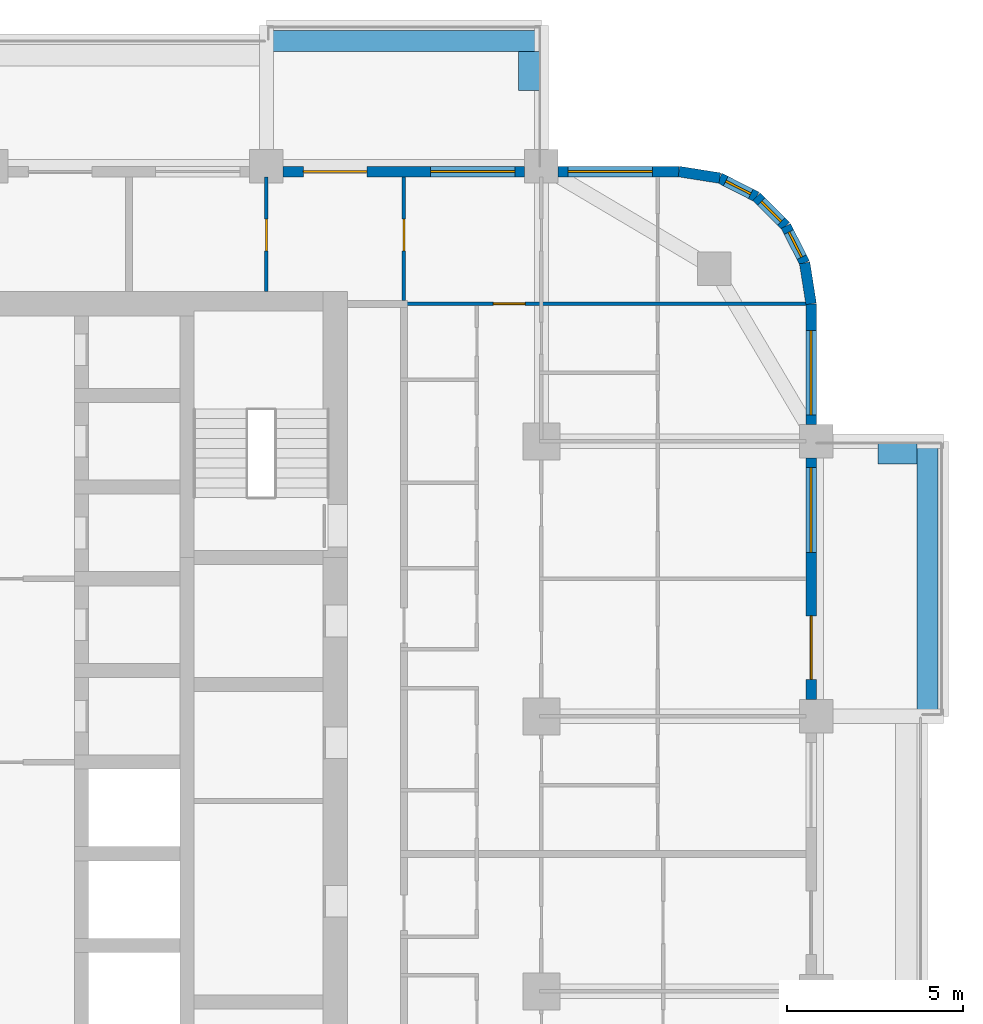
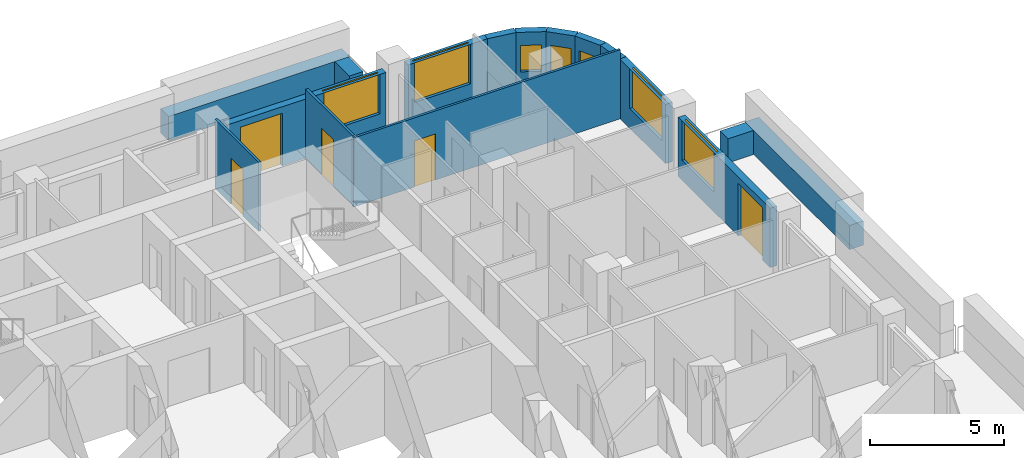
# One storey, part 13 of 17: 16 walls, 7 windows, 5 doors, 12 openings.
"""IFC4 building model written with IfcOpenShell, lengths in metres."""

from ifc_helpers import new_model, si_unit, direction, frame, frame_2d, origin, place, context, subcontext, project, spatial, rectangle, extrude, material, layer, layer_set, type_object, element, fill, save


model = new_model("IFC4")

# Units and contexts
model_context = context("Model", 3, precision=1e-05, world=origin(), true_north=direction((0.0, 1.0)))
body_context = subcontext(model_context, "Body", "Model", "MODEL_VIEW")
ifc_project = project(units=[si_unit("LENGTHUNIT", "METRE"), si_unit("AREAUNIT", "SQUARE_METRE"), si_unit("VOLUMEUNIT", "CUBIC_METRE"), si_unit("PLANEANGLEUNIT", "RADIAN"), si_unit("MASSUNIT", "GRAM", prefix="KILO")], contexts=[model_context])

# Site, building, storey
site_placement = place(None, origin())
site = spatial("IfcSite", under=ifc_project, at=site_placement, CompositionType="ELEMENT")
building_placement = place(site_placement, origin())
building = spatial("IfcBuilding", under=site, at=building_placement, Name="Ludao Terraces", CompositionType="ELEMENT")
storey_placement = place(building_placement, frame((0.0, 0.0, 85.199951171875)))
storey = spatial("IfcBuildingStorey", under=building, at=storey_placement, Name="L23", CompositionType="ELEMENT", Elevation=85.199951171875)

# Walls
ifc_material_1 = material(Name="Concrete C40", Category="concrete")
ifc_layer_1 = layer(ifc_material_1, 0.60009765625)
ifc_layer_set_1 = layer_set([ifc_layer_1], Name="ENV Planter trough 600")
wall_type_1 = type_object("IfcWallType", Name="ENV Planter trough 600", PredefinedType="USERDEFINED", material=ifc_layer_set_1)
wall_1_placement = place(storey_placement, frame((111.550048828125, 72.800048828125, 0.0), z_axis=(0.0, 0.0, 1.0), x_axis=(0.0, 1.0, 0.0)))
element("IfcWall", 1, at=wall_1_placement, inside=storey, type_object=wall_type_1, Name="PL-L23-E4", ObjectType="PLANTER", PredefinedType="USERDEFINED", context=body_context, shape_type="SweptSolid", body=[
    extrude(rectangle(XDim=7.800048828125, YDim=0.60009765625, at=frame_2d((3.89990234375, 0.0))), origin(), (0.0, 0.0, 1.0), 1.10009765625),
])
wall_2_placement = place(storey_placement, frame((111.25, 80.25, 0.0), z_axis=(0.0, 0.0, 1.0), x_axis=(-1.0, 0.0, 0.0)))
element("IfcWall", 2, at=wall_2_placement, inside=storey, type_object=wall_type_1, Name="PL-L23-E4-SB", ObjectType="PLANTER", PredefinedType="USERDEFINED", context=body_context, shape_type="SweptSolid", body=[
    extrude(rectangle(XDim=1.10009765625, YDim=0.60009765625, at=frame_2d((0.550048828125, 0.0))), origin(), (0.0, 0.0, 1.0), 1.10009765625),
])
wall_3_placement = place(storey_placement, frame((92.800048828125, 91.949951171875, 0.0), z_axis=(0.0, 0.0, 1.0), x_axis=(1.0, 0.0, 0.0)))
element("IfcWall", 3, at=wall_3_placement, inside=storey, type_object=wall_type_1, Name="PL-L23-N4", ObjectType="PLANTER", PredefinedType="USERDEFINED", context=body_context, shape_type="SweptSolid", body=[
    extrude(rectangle(XDim=7.800048828125, YDim=0.60009765625, at=frame_2d((3.89990234375, 0.0))), origin(), (0.0, 0.0, 1.0), 1.10009765625),
])
wall_4_placement = place(storey_placement, frame((100.25, 91.64990234375, 0.0), z_axis=(0.0, 0.0, 1.0), x_axis=(0.0, -1.0, 0.0)))
element("IfcWall", 4, at=wall_4_placement, inside=storey, type_object=wall_type_1, Name="PL-L23-N4-SB", ObjectType="PLANTER", PredefinedType="USERDEFINED", context=body_context, shape_type="SweptSolid", body=[
    extrude(rectangle(XDim=1.099853515625, YDim=0.60009765625, at=frame_2d((0.5498046875, 0.0))), origin(), (0.0, 0.0, 1.0), 1.10009765625),
])

# Wall, openings, door, window
ifc_material_2 = material(Name="Granite cladding", Category="masonry")
ifc_layer_2 = layer(ifc_material_2, 0.0400390625, Category="stone")
ifc_material_3 = material(Name="Mineral wool")
ifc_layer_3 = layer(ifc_material_3, 0.06005859375)
ifc_layer_4 = layer(ifc_material_1, 0.199951171875, Category="concrete")
ifc_layer_set_2 = layer_set([ifc_layer_2, ifc_layer_3, ifc_layer_4], Name="ENV Stone-clad wall 300")
wall_type_2 = type_object("IfcWallType", Name="ENV Stone-clad wall 300", PredefinedType="SOLIDWALL", material=ifc_layer_set_2)
wall_5_placement = place(storey_placement, frame((108.25, 73.27490234375, 0.0), z_axis=(0.0, 0.0, 1.0), x_axis=(0.0, 1.0, 0.0)))
wall_5 = element("IfcWall", 5, at=wall_5_placement, inside=storey, type_object=wall_type_2, Name="EW-L23-E5", PredefinedType="SOLIDWALL", context=body_context, shape_type="SweptSolid", body=[
    extrude(rectangle(XDim=6.85009765625, YDim=0.300048828125, at=frame_2d((3.425048828125, 0.0))), origin(), (0.0, 0.0, 1.0), 2.699951171875),
])
opening_1_placement = place(wall_5_placement, frame((0.574951171875, 0.0, 0.0)))
opening_1 = element("IfcOpeningElement", 6, at=opening_1_placement, cuts=wall_5, Name="Opening BD", PredefinedType="OPENING", context=body_context, shape_type="SweptSolid", body=[
    extrude(rectangle(XDim=1.800048828125, YDim=2.39990234375, at=frame_2d((0.89990234375, 1.199951171875))), frame((0.0, 0.16015625, 0.0), z_axis=(0.0, -1.0, 0.0), x_axis=(1.0, 0.0, 0.0)), (0.0, 0.0, 1.0), 0.320068359375),
])
opening_2_placement = place(wall_5_placement, frame((4.175048828125, 0.0, 0.89990234375)))
opening_2 = element("IfcOpeningElement", 7, at=opening_2_placement, cuts=wall_5, Name="Opening W1", PredefinedType="OPENING", context=body_context, shape_type="SweptSolid", body=[
    extrude(rectangle(XDim=2.39990234375, YDim=1.800048828125, at=frame_2d((1.199951171875, 0.89990234375))), frame((0.0, 0.16015625, 0.0), z_axis=(0.0, -1.0, 0.0), x_axis=(1.0, 0.0, 0.0)), (0.0, 0.0, 1.0), 0.320068359375),
])
ifc_material_4 = material(Name="Aluminium glazed door", Category="aluminium")
ifc_layer_5 = layer(ifc_material_4, 0.06005859375)
ifc_layer_set_3 = layer_set([ifc_layer_5], Name="ENV Balcony door BD 1800x2400")
door_type_1 = type_object("IfcDoorType", Name="ENV Balcony door BD 1800x2400", OperationType="DOUBLE_DOOR_SINGLE_SWING", PredefinedType="DOOR", material=ifc_layer_set_3)
door_1_placement = place(opening_1_placement, origin())
door_1 = element("IfcDoor", 8, at=door_1_placement, inside=storey, type_object=door_type_1, Name="BD-L23-E5-1", OperationType="DOUBLE_DOOR_SINGLE_SWING", OverallHeight=2.39990234375, OverallWidth=1.800048828125, PredefinedType="DOOR", context=body_context, shape_type="SweptSolid", body=[
    extrude(rectangle(XDim=1.800048828125, YDim=2.39990234375, at=frame_2d((0.89990234375, 1.199951171875))), frame((0.0, 0.02490234375, 0.0), z_axis=(0.0, -1.0, 0.0), x_axis=(1.0, 0.0, 0.0)), (0.0, 0.0, 1.0), 0.050048828125),
])
fill(opening_1, door_1)
ifc_material_5 = material(Name="Clear glass in aluminium frame", Category="aluminium")
ifc_layer_6 = layer(ifc_material_5, 0.06005859375)
ifc_layer_set_4 = layer_set([ifc_layer_6], Name="ENV Window W1 2400x1800")
window_type_1 = type_object("IfcWindowType", Name="ENV Window W1 2400x1800", PartitioningType="DOUBLE_PANEL_VERTICAL", PredefinedType="WINDOW", material=ifc_layer_set_4)
window_1_placement = place(opening_2_placement, origin())
window_1 = element("IfcWindow", 9, at=window_1_placement, inside=storey, type_object=window_type_1, Name="W-L23-E5-2", OverallHeight=1.800048828125, OverallWidth=2.39990234375, PartitioningType="DOUBLE_PANEL_VERTICAL", PredefinedType="WINDOW", context=body_context, shape_type="SweptSolid", body=[
    extrude(rectangle(XDim=2.39990234375, YDim=1.800048828125, at=frame_2d((1.199951171875, 0.89990234375))), frame((0.0, 0.030029296875, 0.0), z_axis=(0.0, -1.0, 0.0), x_axis=(1.0, 0.0, 0.0)), (0.0, 0.0, 1.0), 0.06005859375),
])
fill(opening_2, window_1)

# Wall, opening, window
wall_6_placement = place(storey_placement, frame((108.25, 81.074951171875, 0.0), z_axis=(0.0, 0.0, 1.0), x_axis=(0.0, 1.0, 0.0)))
wall_6 = element("IfcWall", 10, at=wall_6_placement, inside=storey, type_object=wall_type_2, Name="EW-L23-E6", PredefinedType="SOLIDWALL", context=body_context, shape_type="SweptSolid", body=[
    extrude(rectangle(XDim=3.425048828125, YDim=0.300048828125, at=frame_2d((1.71240234375, 0.0))), origin(), (0.0, 0.0, 1.0), 2.699951171875),
])
opening_3_placement = place(wall_6_placement, frame((0.27490234375, 0.0, 0.89990234375)))
opening_3 = element("IfcOpeningElement", 11, at=opening_3_placement, cuts=wall_6, Name="Opening W1", PredefinedType="OPENING", context=body_context, shape_type="SweptSolid", body=[
    extrude(rectangle(XDim=2.39990234375, YDim=1.800048828125, at=frame_2d((1.199951171875, 0.89990234375))), frame((0.0, 0.16015625, 0.0), z_axis=(0.0, -1.0, 0.0), x_axis=(1.0, 0.0, 0.0)), (0.0, 0.0, 1.0), 0.320068359375),
])
window_2_placement = place(opening_3_placement, origin())
window_2 = element("IfcWindow", 12, at=window_2_placement, inside=storey, type_object=window_type_1, Name="W-L23-E6-1", OverallHeight=1.800048828125, OverallWidth=2.39990234375, PartitioningType="DOUBLE_PANEL_VERTICAL", PredefinedType="WINDOW", context=body_context, shape_type="SweptSolid", body=[
    extrude(rectangle(XDim=2.39990234375, YDim=1.800048828125, at=frame_2d((1.199951171875, 0.89990234375))), frame((0.0, 0.030029296875, 0.0), z_axis=(0.0, -1.0, 0.0), x_axis=(1.0, 0.0, 0.0)), (0.0, 0.0, 1.0), 0.06005859375),
])
fill(opening_3, window_2)

# Wall, openings, door, window
wall_7_placement = place(storey_placement, frame((93.27490234375, 88.25, 0.0), z_axis=(0.0, 0.0, 1.0), x_axis=(1.0, 0.0, 0.0)))
wall_7 = element("IfcWall", 13, at=wall_7_placement, inside=storey, type_object=wall_type_2, Name="EW-L23-N5", PredefinedType="SOLIDWALL", context=body_context, shape_type="SweptSolid", body=[
    extrude(rectangle(XDim=6.85009765625, YDim=0.300048828125, at=frame_2d((3.425048828125, 0.0))), origin(), (0.0, 0.0, 1.0), 2.699951171875),
])
opening_4_placement = place(wall_7_placement, frame((0.574951171875, 0.0, 0.0)))
opening_4 = element("IfcOpeningElement", 14, at=opening_4_placement, cuts=wall_7, Name="Opening BD", PredefinedType="OPENING", context=body_context, shape_type="SweptSolid", body=[
    extrude(rectangle(XDim=1.800048828125, YDim=2.39990234375, at=frame_2d((0.89990234375, 1.199951171875))), frame((0.0, 0.16015625, 0.0), z_axis=(0.0, -1.0, 0.0), x_axis=(1.0, 0.0, 0.0)), (0.0, 0.0, 1.0), 0.320068359375),
])
opening_5_placement = place(wall_7_placement, frame((4.175048828125, 0.0, 0.89990234375)))
opening_5 = element("IfcOpeningElement", 15, at=opening_5_placement, cuts=wall_7, Name="Opening W1", PredefinedType="OPENING", context=body_context, shape_type="SweptSolid", body=[
    extrude(rectangle(XDim=2.39990234375, YDim=1.800048828125, at=frame_2d((1.199951171875, 0.89990234375))), frame((0.0, 0.16015625, 0.0), z_axis=(0.0, -1.0, 0.0), x_axis=(1.0, 0.0, 0.0)), (0.0, 0.0, 1.0), 0.320068359375),
])
door_2_placement = place(opening_4_placement, origin())
door_2 = element("IfcDoor", 16, at=door_2_placement, inside=storey, type_object=door_type_1, Name="BD-L23-N5-1", OperationType="DOUBLE_DOOR_SINGLE_SWING", OverallHeight=2.39990234375, OverallWidth=1.800048828125, PredefinedType="DOOR", context=body_context, shape_type="SweptSolid", body=[
    extrude(rectangle(XDim=1.800048828125, YDim=2.39990234375, at=frame_2d((0.89990234375, 1.199951171875))), frame((0.0, 0.02490234375, 0.0), z_axis=(0.0, -1.0, 0.0), x_axis=(1.0, 0.0, 0.0)), (0.0, 0.0, 1.0), 0.050048828125),
])
fill(opening_4, door_2)
window_3_placement = place(opening_5_placement, origin())
window_3 = element("IfcWindow", 17, at=window_3_placement, inside=storey, type_object=window_type_1, Name="W-L23-N5-2", OverallHeight=1.800048828125, OverallWidth=2.39990234375, PartitioningType="DOUBLE_PANEL_VERTICAL", PredefinedType="WINDOW", context=body_context, shape_type="SweptSolid", body=[
    extrude(rectangle(XDim=2.39990234375, YDim=1.800048828125, at=frame_2d((1.199951171875, 0.89990234375))), frame((0.0, 0.030029296875, 0.0), z_axis=(0.0, -1.0, 0.0), x_axis=(1.0, 0.0, 0.0)), (0.0, 0.0, 1.0), 0.06005859375),
])
fill(opening_5, window_3)

# Wall, opening, window
wall_8_placement = place(storey_placement, frame((101.074951171875, 88.25, 0.0), z_axis=(0.0, 0.0, 1.0), x_axis=(1.0, 0.0, 0.0)))
wall_8 = element("IfcWall", 18, at=wall_8_placement, inside=storey, type_object=wall_type_2, Name="EW-L23-N6", PredefinedType="SOLIDWALL", context=body_context, shape_type="SweptSolid", body=[
    extrude(rectangle(XDim=3.425048828125, YDim=0.300048828125, at=frame_2d((1.71240234375, 0.0))), origin(), (0.0, 0.0, 1.0), 2.699951171875),
])
opening_6_placement = place(wall_8_placement, frame((0.27490234375, 0.0, 0.89990234375)))
opening_6 = element("IfcOpeningElement", 19, at=opening_6_placement, cuts=wall_8, Name="Opening W1", PredefinedType="OPENING", context=body_context, shape_type="SweptSolid", body=[
    extrude(rectangle(XDim=2.39990234375, YDim=1.800048828125, at=frame_2d((1.199951171875, 0.89990234375))), frame((0.0, 0.16015625, 0.0), z_axis=(0.0, -1.0, 0.0), x_axis=(1.0, 0.0, 0.0)), (0.0, 0.0, 1.0), 0.320068359375),
])
window_4_placement = place(opening_6_placement, origin())
window_4 = element("IfcWindow", 20, at=window_4_placement, inside=storey, type_object=window_type_1, Name="W-L23-N6-1", OverallHeight=1.800048828125, OverallWidth=2.39990234375, PartitioningType="DOUBLE_PANEL_VERTICAL", PredefinedType="WINDOW", context=body_context, shape_type="SweptSolid", body=[
    extrude(rectangle(XDim=2.39990234375, YDim=1.800048828125, at=frame_2d((1.199951171875, 0.89990234375))), frame((0.0, 0.030029296875, 0.0), z_axis=(0.0, -1.0, 0.0), x_axis=(1.0, 0.0, 0.0)), (0.0, 0.0, 1.0), 0.06005859375),
])
fill(opening_6, window_4)

# Wall
wall_9_placement = place(storey_placement, frame((108.25, 84.5, 0.0), z_axis=(0.0, 0.0, 1.0), x_axis=(-0.156496880861, 0.987678452879, 0.0)))
element("IfcWall", 21, at=wall_9_placement, inside=storey, type_object=wall_type_2, Name="EW-L23-NE1", PredefinedType="SOLIDWALL", context=body_context, shape_type="SweptSolid", body=[
    extrude(rectangle(XDim=1.173095703125, YDim=0.300048828125, at=frame_2d((0.58642578125, 0.0))), origin(), (0.0, 0.0, 1.0), 2.699951171875),
])

# Wall, opening, window
wall_10_placement = place(storey_placement, frame((108.06640625, 85.65869140625, 0.0), z_axis=(0.0, 0.0, 1.0), x_axis=(-0.454025524128, 0.890988677504, 0.0)))
wall_10 = element("IfcWall", 22, at=wall_10_placement, inside=storey, type_object=wall_type_2, Name="EW-L23-NE2", PredefinedType="SOLIDWALL", context=body_context, shape_type="SweptSolid", body=[
    extrude(rectangle(XDim=1.17333984375, YDim=0.300048828125, at=frame_2d((0.586669921875, 0.0))), origin(), (0.0, 0.0, 1.0), 2.699951171875),
])
opening_7_placement = place(wall_10_placement, frame((0.1865234375, 0.0, 0.89990234375)))
opening_7 = element("IfcOpeningElement", 23, at=opening_7_placement, cuts=wall_10, Name="Opening W3", PredefinedType="OPENING", context=body_context, shape_type="SweptSolid", body=[
    extrude(rectangle(XDim=0.800048828125, YDim=1.199951171875, at=frame_2d((0.39990234375, 0.60009765625))), frame((0.0, 0.16015625, 0.0), z_axis=(0.0, -1.0, 0.0), x_axis=(1.0, 0.0, 0.0)), (0.0, 0.0, 1.0), 0.320068359375),
])
ifc_layer_7 = layer(ifc_material_5, 0.06005859375)
ifc_layer_set_5 = layer_set([ifc_layer_7], Name="ENV Window W3 800x1200")
window_type_2 = type_object("IfcWindowType", Name="ENV Window W3 800x1200", PartitioningType="SINGLE_PANEL", PredefinedType="WINDOW", material=ifc_layer_set_5)
window_5_placement = place(opening_7_placement, origin())
window_5 = element("IfcWindow", 24, at=window_5_placement, inside=storey, type_object=window_type_2, Name="W-L23-NE2", OverallHeight=1.199951171875, OverallWidth=0.800048828125, PartitioningType="SINGLE_PANEL", PredefinedType="WINDOW", context=body_context, shape_type="SweptSolid", body=[
    extrude(rectangle(XDim=0.800048828125, YDim=1.199951171875, at=frame_2d((0.39990234375, 0.60009765625))), frame((0.0, 0.030029296875, 0.0), z_axis=(0.0, -1.0, 0.0), x_axis=(1.0, 0.0, 0.0)), (0.0, 0.0, 1.0), 0.06005859375),
])
fill(opening_7, window_5)

wall_11_placement = place(storey_placement, frame((107.53369140625, 86.7041015625, 0.0), z_axis=(0.0, 0.0, 1.0), x_axis=(-0.707106781187, 0.707106781187, 0.0)))
wall_11 = element("IfcWall", 25, at=wall_11_placement, inside=storey, type_object=wall_type_2, Name="EW-L23-NE3", PredefinedType="SOLIDWALL", context=body_context, shape_type="SweptSolid", body=[
    extrude(rectangle(XDim=1.173095703125, YDim=0.300048828125, at=frame_2d((0.58642578125, 0.0))), origin(), (0.0, 0.0, 1.0), 2.699951171875),
])
opening_8_placement = place(wall_11_placement, frame((0.1865234375, 0.0, 0.89990234375)))
opening_8 = element("IfcOpeningElement", 26, at=opening_8_placement, cuts=wall_11, Name="Opening W3", PredefinedType="OPENING", context=body_context, shape_type="SweptSolid", body=[
    extrude(rectangle(XDim=0.800048828125, YDim=1.199951171875, at=frame_2d((0.39990234375, 0.60009765625))), frame((0.0, 0.16015625, 0.0), z_axis=(0.0, -1.0, 0.0), x_axis=(1.0, 0.0, 0.0)), (0.0, 0.0, 1.0), 0.320068359375),
])
window_6_placement = place(opening_8_placement, origin())
window_6 = element("IfcWindow", 27, at=window_6_placement, inside=storey, type_object=window_type_2, Name="W-L23-NE3", OverallHeight=1.199951171875, OverallWidth=0.800048828125, PartitioningType="SINGLE_PANEL", PredefinedType="WINDOW", context=body_context, shape_type="SweptSolid", body=[
    extrude(rectangle(XDim=0.800048828125, YDim=1.199951171875, at=frame_2d((0.39990234375, 0.60009765625))), frame((0.0, 0.030029296875, 0.0), z_axis=(0.0, -1.0, 0.0), x_axis=(1.0, 0.0, 0.0)), (0.0, 0.0, 1.0), 0.06005859375),
])
fill(opening_8, window_6)

wall_12_placement = place(storey_placement, frame((106.7041015625, 87.53369140625, 0.0), z_axis=(0.0, 0.0, 1.0), x_axis=(-0.890988677504, 0.454025524128, 0.0)))
wall_12 = element("IfcWall", 28, at=wall_12_placement, inside=storey, type_object=wall_type_2, Name="EW-L23-NE4", PredefinedType="SOLIDWALL", context=body_context, shape_type="SweptSolid", body=[
    extrude(rectangle(XDim=1.17333984375, YDim=0.300048828125, at=frame_2d((0.586669921875, 0.0))), origin(), (0.0, 0.0, 1.0), 2.699951171875),
])
opening_9_placement = place(wall_12_placement, frame((0.1865234375, 0.0, 0.89990234375)))
opening_9 = element("IfcOpeningElement", 29, at=opening_9_placement, cuts=wall_12, Name="Opening W3", PredefinedType="OPENING", context=body_context, shape_type="SweptSolid", body=[
    extrude(rectangle(XDim=0.800048828125, YDim=1.199951171875, at=frame_2d((0.39990234375, 0.60009765625))), frame((0.0, 0.16015625, 0.0), z_axis=(0.0, -1.0, 0.0), x_axis=(1.0, 0.0, 0.0)), (0.0, 0.0, 1.0), 0.320068359375),
])
window_7_placement = place(opening_9_placement, origin())
window_7 = element("IfcWindow", 30, at=window_7_placement, inside=storey, type_object=window_type_2, Name="W-L23-NE4", OverallHeight=1.199951171875, OverallWidth=0.800048828125, PartitioningType="SINGLE_PANEL", PredefinedType="WINDOW", context=body_context, shape_type="SweptSolid", body=[
    extrude(rectangle(XDim=0.800048828125, YDim=1.199951171875, at=frame_2d((0.39990234375, 0.60009765625))), frame((0.0, 0.030029296875, 0.0), z_axis=(0.0, -1.0, 0.0), x_axis=(1.0, 0.0, 0.0)), (0.0, 0.0, 1.0), 0.06005859375),
])
fill(opening_9, window_7)

# Wall
wall_13_placement = place(storey_placement, frame((105.65869140625, 88.06640625, 0.0), z_axis=(0.0, 0.0, 1.0), x_axis=(-0.987678452879, 0.156496880861, 0.0)))
element("IfcWall", 31, at=wall_13_placement, inside=storey, type_object=wall_type_2, Name="EW-L23-NE5", PredefinedType="SOLIDWALL", context=body_context, shape_type="SweptSolid", body=[
    extrude(rectangle(XDim=1.173095703125, YDim=0.300048828125, at=frame_2d((0.58642578125, 0.0))), origin(), (0.0, 0.0, 1.0), 2.699951171875),
])

# Wall, opening, door
ifc_material_6 = material(Name="Gypsum plasterboard", Category="gypsum")
ifc_layer_8 = layer(ifc_material_6, 0.012451171875, Category="gypsum")
ifc_layer_9 = layer(ifc_material_3, 0.06005859375, Name="insulation")
ifc_material_7 = material(Name="Steel Q235", Category="steel")
ifc_layer_10 = layer(ifc_material_7, 0.014892578125, Name="stud")
ifc_layer_11 = layer(ifc_material_6, 0.012451171875, Category="gypsum")
ifc_layer_set_6 = layer_set([ifc_layer_8, ifc_layer_9, ifc_layer_10, ifc_layer_11], Name="INT Partition 100")
wall_type_3 = type_object("IfcWallType", Name="INT Partition 100", PredefinedType="PARTITIONING", material=ifc_layer_set_6)
wall_14_placement = place(storey_placement, frame((96.60009765625, 84.5, 0.0), z_axis=(0.0, 0.0, 1.0), x_axis=(1.0, 0.0, 0.0)))
wall_14 = element("IfcWall", 32, at=wall_14_placement, inside=storey, type_object=wall_type_3, Name="PW-L23-PW078", PredefinedType="PARTITIONING", context=body_context, shape_type="SweptSolid", body=[
    extrude(rectangle(XDim=11.5, YDim=0.10009765625, at=frame_2d((5.75, 0.0))), origin(), (0.0, 0.0, 1.0), 3.150146484375),
])
opening_10_placement = place(wall_14_placement, frame((2.635009765625, 0.0, 0.0)))
opening_10 = element("IfcOpeningElement", 33, at=opening_10_placement, cuts=wall_14, Name="Opening R07-154", PredefinedType="OPENING", context=body_context, shape_type="SweptSolid", body=[
    extrude(rectangle(XDim=0.89990234375, YDim=2.10009765625, at=frame_2d((0.449951171875, 1.050048828125))), frame((0.0, 0.06005859375, 0.0), z_axis=(0.0, -1.0, 0.0), x_axis=(1.0, 0.0, 0.0)), (0.0, 0.0, 1.0), 0.1201171875),
])
ifc_material_8 = material(Name="Timber door leaf", Category="wood")
door_type_2 = type_object("IfcDoorType", Name="INT Room door 900", OperationType="SINGLE_SWING_LEFT", PredefinedType="DOOR", material=ifc_material_8)
door_3_placement = place(opening_10_placement, origin())
door_3 = element("IfcDoor", 34, at=door_3_placement, inside=storey, type_object=door_type_2, Name="DOOR 154", OperationType="SINGLE_SWING_RIGHT", OverallHeight=2.10009765625, OverallWidth=0.89990234375, PredefinedType="DOOR", context=body_context, shape_type="SweptSolid", body=[
    extrude(rectangle(XDim=0.89990234375, YDim=2.10009765625, at=frame_2d((0.449951171875, 1.050048828125))), frame((0.0, 0.02490234375, 0.0), z_axis=(0.0, -1.0, 0.0), x_axis=(1.0, 0.0, 0.0)), (0.0, 0.0, 1.0), 0.050048828125),
])
fill(opening_10, door_3)

wall_15_placement = place(storey_placement, frame((92.800048828125, 84.85009765625, 0.0), z_axis=(0.0, 0.0, 1.0), x_axis=(0.0, 1.0, 0.0)))
wall_15 = element("IfcWall", 35, at=wall_15_placement, inside=storey, type_object=wall_type_3, Name="PW-L23-PW111", PredefinedType="PARTITIONING", context=body_context, shape_type="SweptSolid", body=[
    extrude(rectangle(XDim=3.25, YDim=0.10009765625, at=frame_2d((1.625, 0.0))), origin(), (0.0, 0.0, 1.0), 3.150146484375),
])
opening_11_placement = place(wall_15_placement, frame((1.14990234375, 0.0, 0.0)))
opening_11 = element("IfcOpeningElement", 36, at=opening_11_placement, cuts=wall_15, Name="Opening R07-161", PredefinedType="OPENING", context=body_context, shape_type="SweptSolid", body=[
    extrude(rectangle(XDim=0.89990234375, YDim=2.10009765625, at=frame_2d((0.449951171875, 1.050048828125))), frame((0.0, 0.06005859375, 0.0), z_axis=(0.0, -1.0, 0.0), x_axis=(1.0, 0.0, 0.0)), (0.0, 0.0, 1.0), 0.1201171875),
])
door_4_placement = place(opening_11_placement, origin())
door_4 = element("IfcDoor", 37, at=door_4_placement, inside=storey, type_object=door_type_2, Name="DOOR 161", OperationType="SINGLE_SWING_LEFT", OverallHeight=2.10009765625, OverallWidth=0.89990234375, PredefinedType="DOOR", context=body_context, shape_type="SweptSolid", body=[
    extrude(rectangle(XDim=0.89990234375, YDim=2.10009765625, at=frame_2d((0.449951171875, 1.050048828125))), frame((0.0, 0.02490234375, 0.0), z_axis=(0.0, -1.0, 0.0), x_axis=(1.0, 0.0, 0.0)), (0.0, 0.0, 1.0), 0.050048828125),
])
fill(opening_11, door_4)

wall_16_placement = place(storey_placement, frame((96.699951171875, 84.60009765625, 0.0), z_axis=(0.0, 0.0, 1.0), x_axis=(0.0, 1.0, 0.0)))
wall_16 = element("IfcWall", 38, at=wall_16_placement, inside=storey, type_object=wall_type_3, Name="PW-L23-PW116", PredefinedType="PARTITIONING", context=body_context, shape_type="SweptSolid", body=[
    extrude(rectangle(XDim=3.5, YDim=0.10009765625, at=frame_2d((1.75, 0.0))), origin(), (0.0, 0.0, 1.0), 3.150146484375),
])
opening_12_placement = place(wall_16_placement, frame((1.39990234375, 0.0, 0.0)))
opening_12 = element("IfcOpeningElement", 39, at=opening_12_placement, cuts=wall_16, Name="Opening R07-162", PredefinedType="OPENING", context=body_context, shape_type="SweptSolid", body=[
    extrude(rectangle(XDim=0.89990234375, YDim=2.10009765625, at=frame_2d((0.449951171875, 1.050048828125))), frame((0.0, 0.06005859375, 0.0), z_axis=(0.0, -1.0, 0.0), x_axis=(1.0, 0.0, 0.0)), (0.0, 0.0, 1.0), 0.1201171875),
])
door_5_placement = place(opening_12_placement, origin())
door_5 = element("IfcDoor", 40, at=door_5_placement, inside=storey, type_object=door_type_2, Name="DOOR 162", OperationType="SINGLE_SWING_RIGHT", OverallHeight=2.10009765625, OverallWidth=0.89990234375, PredefinedType="DOOR", context=body_context, shape_type="SweptSolid", body=[
    extrude(rectangle(XDim=0.89990234375, YDim=2.10009765625, at=frame_2d((0.449951171875, 1.050048828125))), frame((0.0, 0.02490234375, 0.0), z_axis=(0.0, -1.0, 0.0), x_axis=(1.0, 0.0, 0.0)), (0.0, 0.0, 1.0), 0.050048828125),
])
fill(opening_12, door_5)

save(model, "model.ifc")
